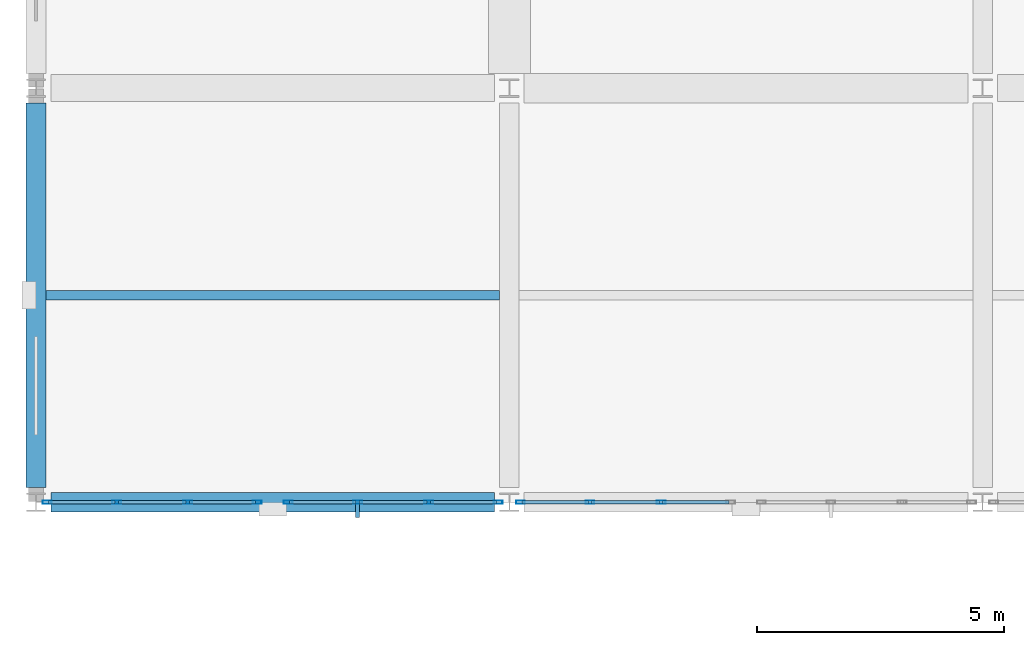
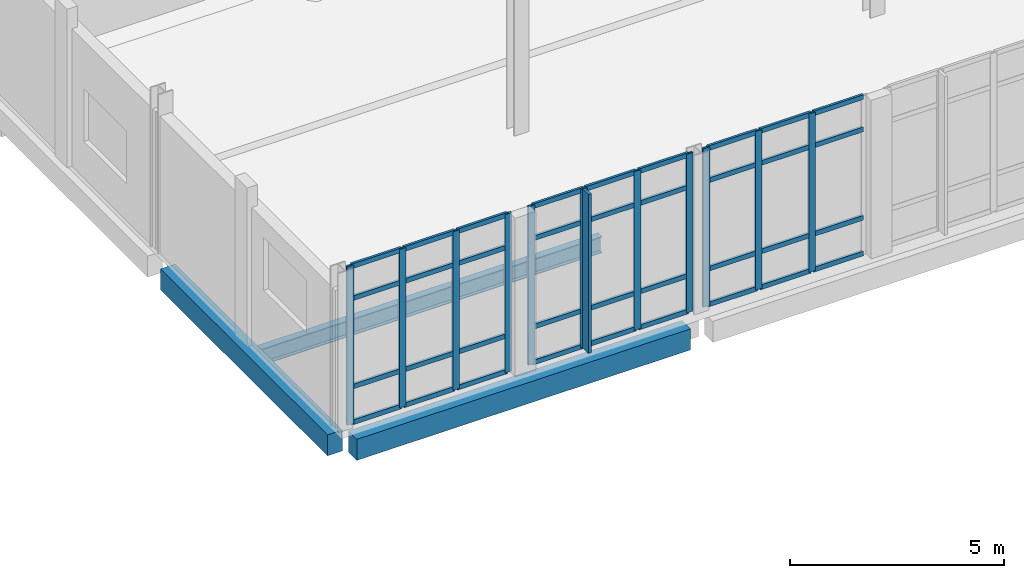
# One storey, part 50 of 102: 48 members, 3 beams, 3 elements without a shape of their own.
"""IFC4 building model written with IfcOpenShell, lengths in metres."""

from ifc_helpers import new_model, si_unit, direction, frame, origin, origin_2d, place, context, subcontext, project, spatial, rectangle, hollow_rectangle, i_section, extrude, material, layer, layer_set, material_profile, profile_set, type_object, element, aggregate, save


model = new_model("IFC4")

# Units and contexts
model_context = context("Model", 3, precision=1e-05, world=origin(), true_north=direction((0.0, 1.0)))
body_context = subcontext(model_context, "Body", "Model", "MODEL_VIEW")
ifc_project = project(units=[si_unit("LENGTHUNIT", "METRE"), si_unit("AREAUNIT", "SQUARE_METRE"), si_unit("VOLUMEUNIT", "CUBIC_METRE"), si_unit("PLANEANGLEUNIT", "RADIAN"), si_unit("MASSUNIT", "GRAM", prefix="KILO")], contexts=[model_context])

# Site, building, storey
site_placement = place(None, origin())
site = spatial("IfcSite", under=ifc_project, at=site_placement, CompositionType="ELEMENT")
building_placement = place(site_placement, origin())
building = spatial("IfcBuilding", under=site, at=building_placement, Name="Lornevale Opera House", CompositionType="ELEMENT")
storey_placement = place(building_placement, frame((0.0, 0.0, 5.39990234375)))
storey = spatial("IfcBuildingStorey", under=building, at=storey_placement, Name="L02", CompositionType="ELEMENT", Elevation=5.39990234375)

# Beams
ifc_material_1 = material(Name="Concrete 35 MPa (CSA A23.1 N)", Category="concrete")
ifc_material_profile_1 = material_profile(ifc_material_1, rectangle(XDim=0.39990234375, YDim=0.60009765625, at=origin_2d()), Name="RC400x600")
ifc_profile_set_1 = profile_set([ifc_material_profile_1], Name="Concrete 35 MPa (CSA A23.1 N)")
beam_type_1 = type_object("IfcBeamType", Name="Concrete Spandrel Beam 400x600", PredefinedType="SPANDREL", material=ifc_profile_set_1)
beam_1_placement = place(storey_placement, frame((0.300048828125, 67.199951171875, -0.64990234375), z_axis=(1.0, 0.0, 0.0), x_axis=(0.0, 1.0, 0.0)))
element("IfcBeam", 1, at=beam_1_placement, inside=storey, type_object=beam_type_1, Name="Concrete Spandrel Beam 400x600 1756", PredefinedType="SPANDREL", context=body_context, shape_type="SweptSolid", body=[
    extrude(rectangle(XDim=0.39990234375, YDim=0.60009765625, at=origin_2d()), origin(), (0.0, 0.0, 1.0), 9.0),
])
beam_2_placement = place(storey_placement, frame((0.0, 67.5, -0.64990234375), z_axis=(0.0, 1.0, 0.0), x_axis=(-1.0, 0.0, 0.0)))
element("IfcBeam", 2, at=beam_2_placement, inside=storey, type_object=beam_type_1, Name="Concrete Spandrel Beam 400x600 1829", PredefinedType="SPANDREL", context=body_context, shape_type="SweptSolid", body=[
    extrude(rectangle(XDim=0.39990234375, YDim=0.60009765625, at=origin_2d()), origin(), (0.0, 0.0, 1.0), 7.800048828125),
])

# Curtain wall, members
ifc_material_2 = material(Name="Anodized Oxide-Green Aluminium Framing", Category="aluminium")
ifc_layer = layer(ifc_material_2, 0.175048828125)
ifc_layer_set = layer_set([ifc_layer], Name="Anodized Oxide-Green Aluminium Framing")
curtain_wall_type = type_object("IfcCurtainWallType", Name="Chamber Cloister Curtain Wall M1700", PredefinedType="NOTDEFINED", material=ifc_layer_set)
curtain_wall_1_placement = place(storey_placement, origin())
curtain_wall_1 = element("IfcCurtainWall", 3, at=curtain_wall_1_placement, inside=storey, type_object=curtain_wall_type, Name="Chamber Cloister Curtain Wall M1700 CW-025", PredefinedType="NOTDEFINED")
ifc_material_profile_2 = material_profile(ifc_material_2, hollow_rectangle(XDim=0.06494140625, YDim=0.179931640625, WallThickness=0.0048828125, at=origin_2d()), Name="ALU65x180x5")
ifc_profile_set_2 = profile_set([ifc_material_profile_2], Name="Anodized Oxide-Green Aluminium Framing")
member_type_1 = type_object("IfcMemberType", Name="Curtain Wall Mullion 65x180", PredefinedType="MULLION", material=ifc_profile_set_2)
member_1_placement = place(storey_placement, frame((9.37451171875, 67.199951171875, 0.0), z_axis=(0.0, 0.0, 1.0), x_axis=(0.0, -1.0, 0.0)))
member_1 = element("IfcMember", 4, at=member_1_placement, type_object=member_type_1, Name="Curtain Wall Mullion 65x180 CW0433", PredefinedType="MULLION", context=body_context, shape_type="SweptSolid", body=[
    extrude(hollow_rectangle(XDim=0.06494140625, YDim=0.179931640625, WallThickness=0.0048828125, at=origin_2d()), origin(), (0.0, 0.0, 1.0), 4.52001953125),
])
member_2_placement = place(storey_placement, frame((7.964599609375, 67.199951171875, 0.0), z_axis=(0.0, 0.0, 1.0), x_axis=(0.0, -1.0, 0.0)))
member_2 = element("IfcMember", 5, at=member_2_placement, type_object=member_type_1, Name="Curtain Wall Mullion 65x180 CW0434", PredefinedType="MULLION", context=body_context, shape_type="SweptSolid", body=[
    extrude(hollow_rectangle(XDim=0.06494140625, YDim=0.179931640625, WallThickness=0.0048828125, at=origin_2d()), origin(), (0.0, 0.0, 1.0), 4.52001953125),
])
member_3_placement = place(storey_placement, frame((6.522216796875, 67.199951171875, 0.0), z_axis=(0.0, 0.0, 1.0), x_axis=(0.0, -1.0, 0.0)))
member_3 = element("IfcMember", 6, at=member_3_placement, type_object=member_type_1, Name="Curtain Wall Mullion 65x180 CW0435", PredefinedType="MULLION", context=body_context, shape_type="SweptSolid", body=[
    extrude(hollow_rectangle(XDim=0.06494140625, YDim=0.179931640625, WallThickness=0.0048828125, at=origin_2d()), origin(), (0.0, 0.0, 1.0), 4.52001953125),
])
member_4_placement = place(storey_placement, frame((5.112548828125, 67.199951171875, 0.0), z_axis=(0.0, 0.0, 1.0), x_axis=(0.0, -1.0, 0.0)))
member_4 = element("IfcMember", 7, at=member_4_placement, type_object=member_type_1, Name="Curtain Wall Mullion 65x180 CW0436", PredefinedType="MULLION", context=body_context, shape_type="SweptSolid", body=[
    extrude(hollow_rectangle(XDim=0.06494140625, YDim=0.179931640625, WallThickness=0.0048828125, at=origin_2d()), origin(), (0.0, 0.0, 1.0), 4.52001953125),
])

curtain_wall_2_placement = place(storey_placement, origin())
curtain_wall_2 = element("IfcCurtainWall", 8, at=curtain_wall_2_placement, inside=storey, type_object=curtain_wall_type, Name="Chamber Cloister Curtain Wall M1700 CW-026", PredefinedType="NOTDEFINED")
member_5_placement = place(storey_placement, frame((4.487548828125, 67.199951171875, 0.0), z_axis=(0.0, 0.0, 1.0), x_axis=(0.0, -1.0, 0.0)))
member_5 = element("IfcMember", 9, at=member_5_placement, type_object=member_type_1, Name="Curtain Wall Mullion 65x180 CW0458", PredefinedType="MULLION", context=body_context, shape_type="SweptSolid", body=[
    extrude(hollow_rectangle(XDim=0.06494140625, YDim=0.179931640625, WallThickness=0.0048828125, at=origin_2d()), origin(), (0.0, 0.0, 1.0), 4.52001953125),
])
member_6_placement = place(storey_placement, frame((3.07763671875, 67.199951171875, 0.0), z_axis=(0.0, 0.0, 1.0), x_axis=(0.0, -1.0, 0.0)))
member_6 = element("IfcMember", 10, at=member_6_placement, type_object=member_type_1, Name="Curtain Wall Mullion 65x180 CW0459", PredefinedType="MULLION", context=body_context, shape_type="SweptSolid", body=[
    extrude(hollow_rectangle(XDim=0.06494140625, YDim=0.179931640625, WallThickness=0.0048828125, at=origin_2d()), origin(), (0.0, 0.0, 1.0), 4.52001953125),
])
member_7_placement = place(storey_placement, frame((1.63525390625, 67.199951171875, 0.0), z_axis=(0.0, 0.0, 1.0), x_axis=(0.0, -1.0, 0.0)))
member_7 = element("IfcMember", 11, at=member_7_placement, type_object=member_type_1, Name="Curtain Wall Mullion 65x180 CW0460", PredefinedType="MULLION", context=body_context, shape_type="SweptSolid", body=[
    extrude(hollow_rectangle(XDim=0.06494140625, YDim=0.179931640625, WallThickness=0.0048828125, at=origin_2d()), origin(), (0.0, 0.0, 1.0), 4.52001953125),
])
member_8_placement = place(storey_placement, frame((0.2255859375, 67.199951171875, 0.0), z_axis=(0.0, 0.0, 1.0), x_axis=(0.0, -1.0, 0.0)))
member_8 = element("IfcMember", 12, at=member_8_placement, type_object=member_type_1, Name="Curtain Wall Mullion 65x180 CW0461", PredefinedType="MULLION", context=body_context, shape_type="SweptSolid", body=[
    extrude(hollow_rectangle(XDim=0.06494140625, YDim=0.179931640625, WallThickness=0.0048828125, at=origin_2d()), origin(), (0.0, 0.0, 1.0), 4.52001953125),
])

curtain_wall_3_placement = place(storey_placement, origin())
curtain_wall_3 = element("IfcCurtainWall", 13, at=curtain_wall_3_placement, inside=storey, type_object=curtain_wall_type, Name="Chamber Cloister Curtain Wall M1700 CW-034", PredefinedType="NOTDEFINED")
member_9_placement = place(storey_placement, frame((12.677734375, 67.199951171875, 0.0), z_axis=(0.0, 0.0, 1.0), x_axis=(0.0, -1.0, 0.0)))
member_9 = element("IfcMember", 14, at=member_9_placement, type_object=member_type_1, Name="Curtain Wall Mullion 65x180 CW0659", PredefinedType="MULLION", context=body_context, shape_type="SweptSolid", body=[
    extrude(hollow_rectangle(XDim=0.06494140625, YDim=0.179931640625, WallThickness=0.0048828125, at=origin_2d()), origin(), (0.0, 0.0, 1.0), 4.52001953125),
])
member_10_placement = place(storey_placement, frame((11.2353515625, 67.199951171875, 0.0), z_axis=(0.0, 0.0, 1.0), x_axis=(0.0, -1.0, 0.0)))
member_10 = element("IfcMember", 15, at=member_10_placement, type_object=member_type_1, Name="Curtain Wall Mullion 65x180 CW0660", PredefinedType="MULLION", context=body_context, shape_type="SweptSolid", body=[
    extrude(hollow_rectangle(XDim=0.06494140625, YDim=0.179931640625, WallThickness=0.0048828125, at=origin_2d()), origin(), (0.0, 0.0, 1.0), 4.52001953125),
])
member_11_placement = place(storey_placement, frame((9.825439453125, 67.199951171875, 0.0), z_axis=(0.0, 0.0, 1.0), x_axis=(0.0, -1.0, 0.0)))
member_11 = element("IfcMember", 16, at=member_11_placement, type_object=member_type_1, Name="Curtain Wall Mullion 65x180 CW0661", PredefinedType="MULLION", context=body_context, shape_type="SweptSolid", body=[
    extrude(hollow_rectangle(XDim=0.06494140625, YDim=0.179931640625, WallThickness=0.0048828125, at=origin_2d()), origin(), (0.0, 0.0, 1.0), 4.52001953125),
])

# Member
ifc_material_profile_3 = material_profile(ifc_material_2, hollow_rectangle(XDim=0.06494140625, YDim=0.135009765625, WallThickness=0.00390625, at=origin_2d()), Name="ALU65x135x4")
ifc_profile_set_3 = profile_set([ifc_material_profile_3], Name="Anodized Oxide-Green Aluminium Framing")
member_type_2 = type_object("IfcMemberType", Name="Curtain Wall Transom 65x135", PredefinedType="USERDEFINED", material=ifc_profile_set_3)
member_12_placement = place(storey_placement, frame((9.342041015625, 67.199951171875, 0.03271484375), z_axis=(-1.0, 0.0, 0.0), x_axis=(0.0, -1.0, 0.0)))
member_12 = element("IfcMember", 17, at=member_12_placement, type_object=member_type_2, Name="Curtain Wall Transom 65x135 CW0437", ObjectType="TRANSOM", PredefinedType="USERDEFINED", context=body_context, shape_type="SweptSolid", body=[
    extrude(hollow_rectangle(XDim=0.06494140625, YDim=0.135009765625, WallThickness=0.00390625, at=origin_2d()), origin(), (0.0, 0.0, 1.0), 1.3447265625),
])

member_13_placement = place(storey_placement, frame((9.342041015625, 67.199951171875, 1.050048828125), z_axis=(-1.0, 0.0, 0.0), x_axis=(0.0, -1.0, 0.0)))
member_13 = element("IfcMember", 18, at=member_13_placement, type_object=member_type_2, Name="Curtain Wall Transom 65x135 CW0438", ObjectType="TRANSOM", PredefinedType="USERDEFINED", context=body_context, shape_type="SweptSolid", body=[
    extrude(hollow_rectangle(XDim=0.06494140625, YDim=0.135009765625, WallThickness=0.00390625, at=origin_2d()), origin(), (0.0, 0.0, 1.0), 1.3447265625),
])

member_14_placement = place(storey_placement, frame((9.342041015625, 67.199951171875, 3.570068359375), z_axis=(-1.0, 0.0, 0.0), x_axis=(0.0, -1.0, 0.0)))
member_14 = element("IfcMember", 19, at=member_14_placement, type_object=member_type_2, Name="Curtain Wall Transom 65x135 CW0439", ObjectType="TRANSOM", PredefinedType="USERDEFINED", context=body_context, shape_type="SweptSolid", body=[
    extrude(hollow_rectangle(XDim=0.06494140625, YDim=0.135009765625, WallThickness=0.00390625, at=origin_2d()), origin(), (0.0, 0.0, 1.0), 1.3447265625),
])

member_15_placement = place(storey_placement, frame((9.342041015625, 67.199951171875, 4.487548828125), z_axis=(-1.0, 0.0, 0.0), x_axis=(0.0, -1.0, 0.0)))
member_15 = element("IfcMember", 20, at=member_15_placement, type_object=member_type_2, Name="Curtain Wall Transom 65x135 CW0440", ObjectType="TRANSOM", PredefinedType="USERDEFINED", context=body_context, shape_type="SweptSolid", body=[
    extrude(hollow_rectangle(XDim=0.06494140625, YDim=0.135009765625, WallThickness=0.00390625, at=origin_2d()), origin(), (0.0, 0.0, 1.0), 1.3447265625),
])

member_16_placement = place(storey_placement, frame((7.93212890625, 67.199951171875, 0.03271484375), z_axis=(-1.0, 0.0, 0.0), x_axis=(0.0, -1.0, 0.0)))
member_16 = element("IfcMember", 21, at=member_16_placement, type_object=member_type_2, Name="Curtain Wall Transom 65x135 CW0444", ObjectType="TRANSOM", PredefinedType="USERDEFINED", context=body_context, shape_type="SweptSolid", body=[
    extrude(hollow_rectangle(XDim=0.06494140625, YDim=0.135009765625, WallThickness=0.00390625, at=origin_2d()), origin(), (0.0, 0.0, 1.0), 1.37744140625),
])

member_17_placement = place(storey_placement, frame((7.93212890625, 67.199951171875, 1.050048828125), z_axis=(-1.0, 0.0, 0.0), x_axis=(0.0, -1.0, 0.0)))
member_17 = element("IfcMember", 22, at=member_17_placement, type_object=member_type_2, Name="Curtain Wall Transom 65x135 CW0445", ObjectType="TRANSOM", PredefinedType="USERDEFINED", context=body_context, shape_type="SweptSolid", body=[
    extrude(hollow_rectangle(XDim=0.06494140625, YDim=0.135009765625, WallThickness=0.00390625, at=origin_2d()), origin(), (0.0, 0.0, 1.0), 1.37744140625),
])

member_18_placement = place(storey_placement, frame((7.93212890625, 67.199951171875, 3.570068359375), z_axis=(-1.0, 0.0, 0.0), x_axis=(0.0, -1.0, 0.0)))
member_18 = element("IfcMember", 23, at=member_18_placement, type_object=member_type_2, Name="Curtain Wall Transom 65x135 CW0446", ObjectType="TRANSOM", PredefinedType="USERDEFINED", context=body_context, shape_type="SweptSolid", body=[
    extrude(hollow_rectangle(XDim=0.06494140625, YDim=0.135009765625, WallThickness=0.00390625, at=origin_2d()), origin(), (0.0, 0.0, 1.0), 1.37744140625),
])

member_19_placement = place(storey_placement, frame((7.93212890625, 67.199951171875, 4.487548828125), z_axis=(-1.0, 0.0, 0.0), x_axis=(0.0, -1.0, 0.0)))
member_19 = element("IfcMember", 24, at=member_19_placement, type_object=member_type_2, Name="Curtain Wall Transom 65x135 CW0447", ObjectType="TRANSOM", PredefinedType="USERDEFINED", context=body_context, shape_type="SweptSolid", body=[
    extrude(hollow_rectangle(XDim=0.06494140625, YDim=0.135009765625, WallThickness=0.00390625, at=origin_2d()), origin(), (0.0, 0.0, 1.0), 1.37744140625),
])

member_20_placement = place(storey_placement, frame((6.48974609375, 67.199951171875, 0.03271484375), z_axis=(-1.0, 0.0, 0.0), x_axis=(0.0, -1.0, 0.0)))
member_20 = element("IfcMember", 25, at=member_20_placement, type_object=member_type_2, Name="Curtain Wall Transom 65x135 CW0451", ObjectType="TRANSOM", PredefinedType="USERDEFINED", context=body_context, shape_type="SweptSolid", body=[
    extrude(hollow_rectangle(XDim=0.06494140625, YDim=0.135009765625, WallThickness=0.00390625, at=origin_2d()), origin(), (0.0, 0.0, 1.0), 1.3447265625),
])

member_21_placement = place(storey_placement, frame((6.48974609375, 67.199951171875, 1.050048828125), z_axis=(-1.0, 0.0, 0.0), x_axis=(0.0, -1.0, 0.0)))
member_21 = element("IfcMember", 26, at=member_21_placement, type_object=member_type_2, Name="Curtain Wall Transom 65x135 CW0452", ObjectType="TRANSOM", PredefinedType="USERDEFINED", context=body_context, shape_type="SweptSolid", body=[
    extrude(hollow_rectangle(XDim=0.06494140625, YDim=0.135009765625, WallThickness=0.00390625, at=origin_2d()), origin(), (0.0, 0.0, 1.0), 1.3447265625),
])

member_22_placement = place(storey_placement, frame((6.48974609375, 67.199951171875, 3.570068359375), z_axis=(-1.0, 0.0, 0.0), x_axis=(0.0, -1.0, 0.0)))
member_22 = element("IfcMember", 27, at=member_22_placement, type_object=member_type_2, Name="Curtain Wall Transom 65x135 CW0453", ObjectType="TRANSOM", PredefinedType="USERDEFINED", context=body_context, shape_type="SweptSolid", body=[
    extrude(hollow_rectangle(XDim=0.06494140625, YDim=0.135009765625, WallThickness=0.00390625, at=origin_2d()), origin(), (0.0, 0.0, 1.0), 1.3447265625),
])

member_23_placement = place(storey_placement, frame((6.48974609375, 67.199951171875, 4.487548828125), z_axis=(-1.0, 0.0, 0.0), x_axis=(0.0, -1.0, 0.0)))
member_23 = element("IfcMember", 28, at=member_23_placement, type_object=member_type_2, Name="Curtain Wall Transom 65x135 CW0454", ObjectType="TRANSOM", PredefinedType="USERDEFINED", context=body_context, shape_type="SweptSolid", body=[
    extrude(hollow_rectangle(XDim=0.06494140625, YDim=0.135009765625, WallThickness=0.00390625, at=origin_2d()), origin(), (0.0, 0.0, 1.0), 1.3447265625),
])

member_24_placement = place(storey_placement, frame((4.455078125, 67.199951171875, 0.03271484375), z_axis=(-1.0, 0.0, 0.0), x_axis=(0.0, -1.0, 0.0)))
member_24 = element("IfcMember", 29, at=member_24_placement, type_object=member_type_2, Name="Curtain Wall Transom 65x135 CW0462", ObjectType="TRANSOM", PredefinedType="USERDEFINED", context=body_context, shape_type="SweptSolid", body=[
    extrude(hollow_rectangle(XDim=0.06494140625, YDim=0.135009765625, WallThickness=0.00390625, at=origin_2d()), origin(), (0.0, 0.0, 1.0), 1.344970703125),
])

member_25_placement = place(storey_placement, frame((4.455078125, 67.199951171875, 1.050048828125), z_axis=(-1.0, 0.0, 0.0), x_axis=(0.0, -1.0, 0.0)))
member_25 = element("IfcMember", 30, at=member_25_placement, type_object=member_type_2, Name="Curtain Wall Transom 65x135 CW0463", ObjectType="TRANSOM", PredefinedType="USERDEFINED", context=body_context, shape_type="SweptSolid", body=[
    extrude(hollow_rectangle(XDim=0.06494140625, YDim=0.135009765625, WallThickness=0.00390625, at=origin_2d()), origin(), (0.0, 0.0, 1.0), 1.344970703125),
])

member_26_placement = place(storey_placement, frame((4.455078125, 67.199951171875, 3.570068359375), z_axis=(-1.0, 0.0, 0.0), x_axis=(0.0, -1.0, 0.0)))
member_26 = element("IfcMember", 31, at=member_26_placement, type_object=member_type_2, Name="Curtain Wall Transom 65x135 CW0464", ObjectType="TRANSOM", PredefinedType="USERDEFINED", context=body_context, shape_type="SweptSolid", body=[
    extrude(hollow_rectangle(XDim=0.06494140625, YDim=0.135009765625, WallThickness=0.00390625, at=origin_2d()), origin(), (0.0, 0.0, 1.0), 1.344970703125),
])

member_27_placement = place(storey_placement, frame((4.455078125, 67.199951171875, 4.487548828125), z_axis=(-1.0, 0.0, 0.0), x_axis=(0.0, -1.0, 0.0)))
member_27 = element("IfcMember", 32, at=member_27_placement, type_object=member_type_2, Name="Curtain Wall Transom 65x135 CW0465", ObjectType="TRANSOM", PredefinedType="USERDEFINED", context=body_context, shape_type="SweptSolid", body=[
    extrude(hollow_rectangle(XDim=0.06494140625, YDim=0.135009765625, WallThickness=0.00390625, at=origin_2d()), origin(), (0.0, 0.0, 1.0), 1.344970703125),
])

member_28_placement = place(storey_placement, frame((3.045166015625, 67.199951171875, 0.03271484375), z_axis=(-1.0, 0.0, 0.0), x_axis=(0.0, -1.0, 0.0)))
member_28 = element("IfcMember", 33, at=member_28_placement, type_object=member_type_2, Name="Curtain Wall Transom 65x135 CW0469", ObjectType="TRANSOM", PredefinedType="USERDEFINED", context=body_context, shape_type="SweptSolid", body=[
    extrude(hollow_rectangle(XDim=0.06494140625, YDim=0.135009765625, WallThickness=0.00390625, at=origin_2d()), origin(), (0.0, 0.0, 1.0), 1.37744140625),
])

member_29_placement = place(storey_placement, frame((3.045166015625, 67.199951171875, 1.050048828125), z_axis=(-1.0, 0.0, 0.0), x_axis=(0.0, -1.0, 0.0)))
member_29 = element("IfcMember", 34, at=member_29_placement, type_object=member_type_2, Name="Curtain Wall Transom 65x135 CW0470", ObjectType="TRANSOM", PredefinedType="USERDEFINED", context=body_context, shape_type="SweptSolid", body=[
    extrude(hollow_rectangle(XDim=0.06494140625, YDim=0.135009765625, WallThickness=0.00390625, at=origin_2d()), origin(), (0.0, 0.0, 1.0), 1.37744140625),
])

member_30_placement = place(storey_placement, frame((3.045166015625, 67.199951171875, 3.570068359375), z_axis=(-1.0, 0.0, 0.0), x_axis=(0.0, -1.0, 0.0)))
member_30 = element("IfcMember", 35, at=member_30_placement, type_object=member_type_2, Name="Curtain Wall Transom 65x135 CW0471", ObjectType="TRANSOM", PredefinedType="USERDEFINED", context=body_context, shape_type="SweptSolid", body=[
    extrude(hollow_rectangle(XDim=0.06494140625, YDim=0.135009765625, WallThickness=0.00390625, at=origin_2d()), origin(), (0.0, 0.0, 1.0), 1.37744140625),
])

member_31_placement = place(storey_placement, frame((3.045166015625, 67.199951171875, 4.487548828125), z_axis=(-1.0, 0.0, 0.0), x_axis=(0.0, -1.0, 0.0)))
member_31 = element("IfcMember", 36, at=member_31_placement, type_object=member_type_2, Name="Curtain Wall Transom 65x135 CW0472", ObjectType="TRANSOM", PredefinedType="USERDEFINED", context=body_context, shape_type="SweptSolid", body=[
    extrude(hollow_rectangle(XDim=0.06494140625, YDim=0.135009765625, WallThickness=0.00390625, at=origin_2d()), origin(), (0.0, 0.0, 1.0), 1.37744140625),
])

member_32_placement = place(storey_placement, frame((1.602783203125, 67.199951171875, 0.03271484375), z_axis=(-1.0, 0.0, 0.0), x_axis=(0.0, -1.0, 0.0)))
member_32 = element("IfcMember", 37, at=member_32_placement, type_object=member_type_2, Name="Curtain Wall Transom 65x135 CW0476", ObjectType="TRANSOM", PredefinedType="USERDEFINED", context=body_context, shape_type="SweptSolid", body=[
    extrude(hollow_rectangle(XDim=0.06494140625, YDim=0.135009765625, WallThickness=0.00390625, at=origin_2d()), origin(), (0.0, 0.0, 1.0), 1.3447265625),
])

member_33_placement = place(storey_placement, frame((1.602783203125, 67.199951171875, 1.050048828125), z_axis=(-1.0, 0.0, 0.0), x_axis=(0.0, -1.0, 0.0)))
member_33 = element("IfcMember", 38, at=member_33_placement, type_object=member_type_2, Name="Curtain Wall Transom 65x135 CW0477", ObjectType="TRANSOM", PredefinedType="USERDEFINED", context=body_context, shape_type="SweptSolid", body=[
    extrude(hollow_rectangle(XDim=0.06494140625, YDim=0.135009765625, WallThickness=0.00390625, at=origin_2d()), origin(), (0.0, 0.0, 1.0), 1.3447265625),
])

member_34_placement = place(storey_placement, frame((1.602783203125, 67.199951171875, 3.570068359375), z_axis=(-1.0, 0.0, 0.0), x_axis=(0.0, -1.0, 0.0)))
member_34 = element("IfcMember", 39, at=member_34_placement, type_object=member_type_2, Name="Curtain Wall Transom 65x135 CW0478", ObjectType="TRANSOM", PredefinedType="USERDEFINED", context=body_context, shape_type="SweptSolid", body=[
    extrude(hollow_rectangle(XDim=0.06494140625, YDim=0.135009765625, WallThickness=0.00390625, at=origin_2d()), origin(), (0.0, 0.0, 1.0), 1.3447265625),
])

member_35_placement = place(storey_placement, frame((1.602783203125, 67.199951171875, 4.487548828125), z_axis=(-1.0, 0.0, 0.0), x_axis=(0.0, -1.0, 0.0)))
member_35 = element("IfcMember", 40, at=member_35_placement, type_object=member_type_2, Name="Curtain Wall Transom 65x135 CW0479", ObjectType="TRANSOM", PredefinedType="USERDEFINED", context=body_context, shape_type="SweptSolid", body=[
    extrude(hollow_rectangle(XDim=0.06494140625, YDim=0.135009765625, WallThickness=0.00390625, at=origin_2d()), origin(), (0.0, 0.0, 1.0), 1.3447265625),
])

aggregate(curtain_wall_2, [member_5, member_6, member_7, member_8, member_24, member_25, member_26, member_27, member_28, member_29, member_30, member_31, member_32, member_33, member_34, member_35])

member_36_placement = place(storey_placement, frame((14.054931640625, 67.199951171875, 0.03271484375), z_axis=(-1.0, 0.0, 0.0), x_axis=(0.0, -1.0, 0.0)))
member_36 = element("IfcMember", 41, at=member_36_placement, type_object=member_type_2, Name="Curtain Wall Transom 65x135 CW0662", ObjectType="TRANSOM", PredefinedType="USERDEFINED", context=body_context, shape_type="SweptSolid", body=[
    extrude(hollow_rectangle(XDim=0.06494140625, YDim=0.135009765625, WallThickness=0.00390625, at=origin_2d()), origin(), (0.0, 0.0, 1.0), 1.3447265625),
])

member_37_placement = place(storey_placement, frame((14.054931640625, 67.199951171875, 1.050048828125), z_axis=(-1.0, 0.0, 0.0), x_axis=(0.0, -1.0, 0.0)))
member_37 = element("IfcMember", 42, at=member_37_placement, type_object=member_type_2, Name="Curtain Wall Transom 65x135 CW0663", ObjectType="TRANSOM", PredefinedType="USERDEFINED", context=body_context, shape_type="SweptSolid", body=[
    extrude(hollow_rectangle(XDim=0.06494140625, YDim=0.135009765625, WallThickness=0.00390625, at=origin_2d()), origin(), (0.0, 0.0, 1.0), 1.3447265625),
])

member_38_placement = place(storey_placement, frame((14.054931640625, 67.199951171875, 3.570068359375), z_axis=(-1.0, 0.0, 0.0), x_axis=(0.0, -1.0, 0.0)))
member_38 = element("IfcMember", 43, at=member_38_placement, type_object=member_type_2, Name="Curtain Wall Transom 65x135 CW0664", ObjectType="TRANSOM", PredefinedType="USERDEFINED", context=body_context, shape_type="SweptSolid", body=[
    extrude(hollow_rectangle(XDim=0.06494140625, YDim=0.135009765625, WallThickness=0.00390625, at=origin_2d()), origin(), (0.0, 0.0, 1.0), 1.3447265625),
])

member_39_placement = place(storey_placement, frame((14.054931640625, 67.199951171875, 4.487548828125), z_axis=(-1.0, 0.0, 0.0), x_axis=(0.0, -1.0, 0.0)))
member_39 = element("IfcMember", 44, at=member_39_placement, type_object=member_type_2, Name="Curtain Wall Transom 65x135 CW0665", ObjectType="TRANSOM", PredefinedType="USERDEFINED", context=body_context, shape_type="SweptSolid", body=[
    extrude(hollow_rectangle(XDim=0.06494140625, YDim=0.135009765625, WallThickness=0.00390625, at=origin_2d()), origin(), (0.0, 0.0, 1.0), 1.3447265625),
])

member_40_placement = place(storey_placement, frame((12.645263671875, 67.199951171875, 0.03271484375), z_axis=(-1.0, 0.0, 0.0), x_axis=(0.0, -1.0, 0.0)))
member_40 = element("IfcMember", 45, at=member_40_placement, type_object=member_type_2, Name="Curtain Wall Transom 65x135 CW0669", ObjectType="TRANSOM", PredefinedType="USERDEFINED", context=body_context, shape_type="SweptSolid", body=[
    extrude(hollow_rectangle(XDim=0.06494140625, YDim=0.135009765625, WallThickness=0.00390625, at=origin_2d()), origin(), (0.0, 0.0, 1.0), 1.37744140625),
])

member_41_placement = place(storey_placement, frame((12.645263671875, 67.199951171875, 1.050048828125), z_axis=(-1.0, 0.0, 0.0), x_axis=(0.0, -1.0, 0.0)))
member_41 = element("IfcMember", 46, at=member_41_placement, type_object=member_type_2, Name="Curtain Wall Transom 65x135 CW0670", ObjectType="TRANSOM", PredefinedType="USERDEFINED", context=body_context, shape_type="SweptSolid", body=[
    extrude(hollow_rectangle(XDim=0.06494140625, YDim=0.135009765625, WallThickness=0.00390625, at=origin_2d()), origin(), (0.0, 0.0, 1.0), 1.37744140625),
])

member_42_placement = place(storey_placement, frame((12.645263671875, 67.199951171875, 3.570068359375), z_axis=(-1.0, 0.0, 0.0), x_axis=(0.0, -1.0, 0.0)))
member_42 = element("IfcMember", 47, at=member_42_placement, type_object=member_type_2, Name="Curtain Wall Transom 65x135 CW0671", ObjectType="TRANSOM", PredefinedType="USERDEFINED", context=body_context, shape_type="SweptSolid", body=[
    extrude(hollow_rectangle(XDim=0.06494140625, YDim=0.135009765625, WallThickness=0.00390625, at=origin_2d()), origin(), (0.0, 0.0, 1.0), 1.37744140625),
])

member_43_placement = place(storey_placement, frame((12.645263671875, 67.199951171875, 4.487548828125), z_axis=(-1.0, 0.0, 0.0), x_axis=(0.0, -1.0, 0.0)))
member_43 = element("IfcMember", 48, at=member_43_placement, type_object=member_type_2, Name="Curtain Wall Transom 65x135 CW0672", ObjectType="TRANSOM", PredefinedType="USERDEFINED", context=body_context, shape_type="SweptSolid", body=[
    extrude(hollow_rectangle(XDim=0.06494140625, YDim=0.135009765625, WallThickness=0.00390625, at=origin_2d()), origin(), (0.0, 0.0, 1.0), 1.37744140625),
])

member_44_placement = place(storey_placement, frame((11.202880859375, 67.199951171875, 0.03271484375), z_axis=(-1.0, 0.0, 0.0), x_axis=(0.0, -1.0, 0.0)))
member_44 = element("IfcMember", 49, at=member_44_placement, type_object=member_type_2, Name="Curtain Wall Transom 65x135 CW0676", ObjectType="TRANSOM", PredefinedType="USERDEFINED", context=body_context, shape_type="SweptSolid", body=[
    extrude(hollow_rectangle(XDim=0.06494140625, YDim=0.135009765625, WallThickness=0.00390625, at=origin_2d()), origin(), (0.0, 0.0, 1.0), 1.344970703125),
])

member_45_placement = place(storey_placement, frame((11.202880859375, 67.199951171875, 1.050048828125), z_axis=(-1.0, 0.0, 0.0), x_axis=(0.0, -1.0, 0.0)))
member_45 = element("IfcMember", 50, at=member_45_placement, type_object=member_type_2, Name="Curtain Wall Transom 65x135 CW0677", ObjectType="TRANSOM", PredefinedType="USERDEFINED", context=body_context, shape_type="SweptSolid", body=[
    extrude(hollow_rectangle(XDim=0.06494140625, YDim=0.135009765625, WallThickness=0.00390625, at=origin_2d()), origin(), (0.0, 0.0, 1.0), 1.344970703125),
])

member_46_placement = place(storey_placement, frame((11.202880859375, 67.199951171875, 3.570068359375), z_axis=(-1.0, 0.0, 0.0), x_axis=(0.0, -1.0, 0.0)))
member_46 = element("IfcMember", 51, at=member_46_placement, type_object=member_type_2, Name="Curtain Wall Transom 65x135 CW0678", ObjectType="TRANSOM", PredefinedType="USERDEFINED", context=body_context, shape_type="SweptSolid", body=[
    extrude(hollow_rectangle(XDim=0.06494140625, YDim=0.135009765625, WallThickness=0.00390625, at=origin_2d()), origin(), (0.0, 0.0, 1.0), 1.344970703125),
])

member_47_placement = place(storey_placement, frame((11.202880859375, 67.199951171875, 4.487548828125), z_axis=(-1.0, 0.0, 0.0), x_axis=(0.0, -1.0, 0.0)))
member_47 = element("IfcMember", 52, at=member_47_placement, type_object=member_type_2, Name="Curtain Wall Transom 65x135 CW0679", ObjectType="TRANSOM", PredefinedType="USERDEFINED", context=body_context, shape_type="SweptSolid", body=[
    extrude(hollow_rectangle(XDim=0.06494140625, YDim=0.135009765625, WallThickness=0.00390625, at=origin_2d()), origin(), (0.0, 0.0, 1.0), 1.344970703125),
])

aggregate(curtain_wall_3, [member_9, member_10, member_11, member_36, member_37, member_38, member_39, member_40, member_41, member_42, member_43, member_44, member_45, member_46, member_47])

ifc_material_3 = material(Name="Architectural Bronze Solar Louvre Alloy", Category="metal")
ifc_material_profile_4 = material_profile(ifc_material_3, rectangle(XDim=0.080078125, YDim=0.360107421875, at=origin_2d()), Name="FIN80x360")
ifc_profile_set_4 = profile_set([ifc_material_profile_4], Name="Architectural Bronze Solar Louvre Alloy")
member_type_3 = type_object("IfcMemberType", Name="Solar Shading Fin 80x360", PredefinedType="USERDEFINED", material=ifc_profile_set_4)
member_48_placement = place(storey_placement, frame((6.522216796875, 67.073974609375, 0.0), z_axis=(0.0, 0.0, 1.0), x_axis=(-1.0, 0.0, 0.0)))
member_48 = element("IfcMember", 53, at=member_48_placement, type_object=member_type_3, Name="Solar Shading Fin 80x360 FIN0012", ObjectType="SOLAR FIN", PredefinedType="USERDEFINED", context=body_context, shape_type="SweptSolid", body=[
    extrude(rectangle(XDim=0.080078125, YDim=0.360107421875, at=origin_2d()), origin(), (0.0, 0.0, 1.0), 4.52001953125),
])

aggregate(curtain_wall_1, [member_1, member_2, member_3, member_4, member_12, member_13, member_14, member_15, member_16, member_17, member_18, member_19, member_20, member_21, member_22, member_23, member_48])

# Beam
ifc_material_4 = material(Name="Structural Steel CSA G40.21 Grade 350W (350 MPa)", Category="steel")
ifc_material_profile_5 = material_profile(ifc_material_4, i_section(OverallWidth=0.19189453125, OverallDepth=0.462890625, WebThickness=0.010498046875, FlangeThickness=0.017578125, at=origin_2d()), Name="W460x89")
ifc_profile_set_5 = profile_set([ifc_material_profile_5], Name="Structural Steel CSA G40.21 Grade 350W (350 MPa)")
beam_type_2 = type_object("IfcBeamType", Name="Steel Floor Joist W460x89", PredefinedType="JOIST", material=ifc_profile_set_5)
beam_3_placement = place(storey_placement, frame((0.199951171875, 71.39990234375, -0.596435546875), z_axis=(1.0, 0.0, 0.0), x_axis=(0.0, 1.0, 0.0)))
element("IfcBeam", 54, at=beam_3_placement, inside=storey, type_object=beam_type_2, Name="Steel Floor Joist W460x89 1980", PredefinedType="JOIST", context=body_context, shape_type="SweptSolid", body=[
    extrude(i_section(OverallWidth=0.19189453125, OverallDepth=0.462890625, WebThickness=0.010498046875, FlangeThickness=0.017578125, at=origin_2d()), origin(), (0.0, 0.0, 1.0), 9.199951171875),
])

save(model, "model.ifc")
